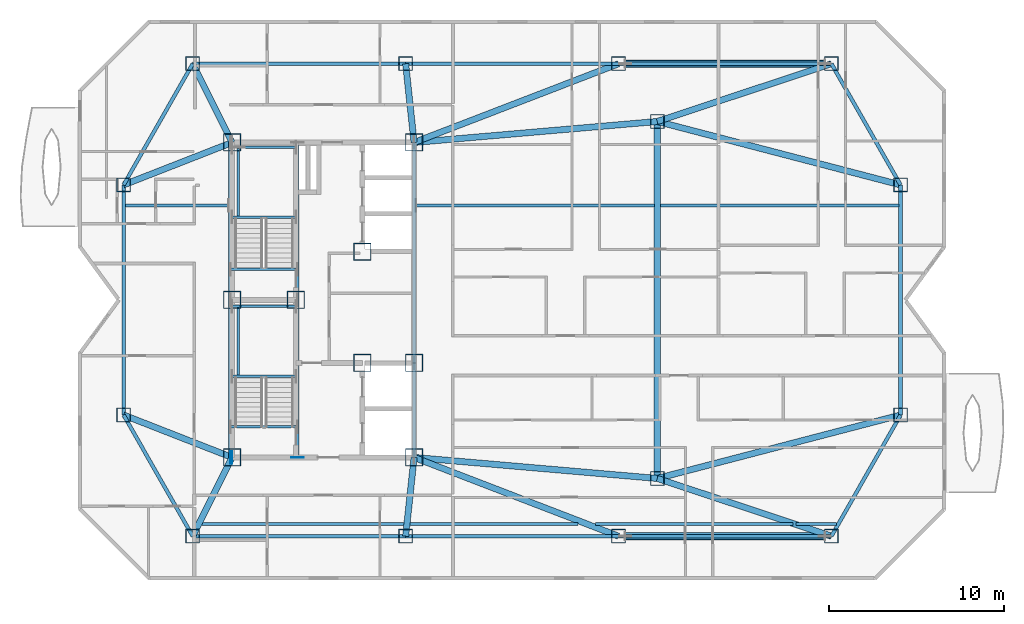
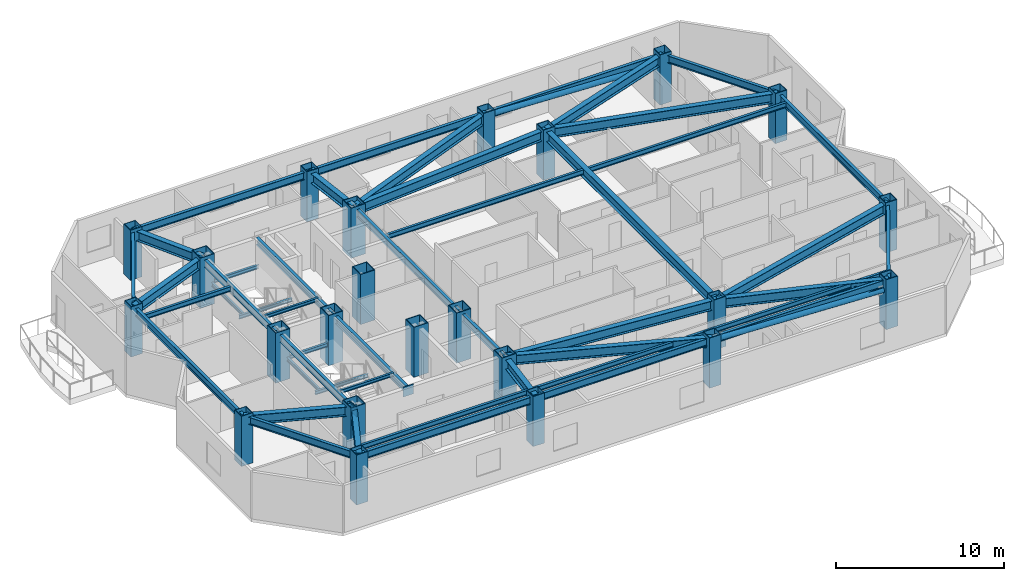
# One storey, part 1 of 11: 48 beams, 23 columns, 3 plates, 2 members.
"""IFC4 building model written with IfcOpenShell, lengths in metres."""

from ifc_helpers import new_model, si_unit, direction, frame, origin, origin_2d, place, context, subcontext, project, spatial, rectangle, hollow_rectangle, hollow_circle, i_section, extrude, material, layer, layer_set, material_profile, profile_set, type_object, element, save


model = new_model("IFC4")

# Units and contexts
model_context = context("Model", 3, precision=1e-05, world=origin(), true_north=direction((0.0, 1.0)))
body_context = subcontext(model_context, "Body", "Model", "MODEL_VIEW")
ifc_project = project(units=[si_unit("LENGTHUNIT", "METRE"), si_unit("AREAUNIT", "SQUARE_METRE"), si_unit("VOLUMEUNIT", "CUBIC_METRE"), si_unit("PLANEANGLEUNIT", "RADIAN"), si_unit("MASSUNIT", "GRAM", prefix="KILO")], contexts=[model_context])

# Site, building, storey
site_placement = place(None, origin())
site = spatial("IfcSite", under=ifc_project, at=site_placement, CompositionType="ELEMENT")
building_placement = place(site_placement, origin())
building = spatial("IfcBuilding", under=site, at=building_placement, Name="Khamvora Tower", CompositionType="ELEMENT")
storey_placement = place(building_placement, frame((0.0, 0.0, 239.10009765625)))
storey = spatial("IfcBuildingStorey", under=building, at=storey_placement, Name="L61", CompositionType="ELEMENT", Elevation=239.10009765625)

# Columns
ifc_material_1 = material(Name="Steel S355", Category="steel")
ifc_material_profile_1 = material_profile(ifc_material_1, hollow_rectangle(XDim=0.800048828125, YDim=0.800048828125, WallThickness=0.0400390625, at=origin_2d()), Name="BOX800x800x40")
ifc_profile_set_1 = profile_set([ifc_material_profile_1], Name="Steel S355")
column_type_1 = type_object("IfcColumnType", Name="COL-BOX800", PredefinedType="COLUMN", material=ifc_profile_set_1)
for number, where, z_axis, x_axis, name in (
    (1, (26.75, 14.5, 0.0), (0.0, 0.0, 1.0), (1.0, 0.0, 0.0), "L61 structural frame column S1"),
    (2, (38.9169921875, 14.5, 0.0), (0.0, 0.0, 1.0), (1.0, 0.0, 0.0), "L61 structural frame column S2"),
    (3, (51.0830078125, 14.5, 0.0), (0.0, 0.0, 1.0), (1.0, 0.0, 0.0), "L61 structural frame column S3"),
    (4, (63.25, 14.5, 0.0), (0.0, 0.0, 1.0), (1.0, 0.0, 0.0), "L61 structural frame column S4"),
    (5, (26.75, 41.5, 0.0), (0.0, 0.0, 1.0), (1.0, 0.0, 0.0), "L61 structural frame column N1"),
    (6, (38.9169921875, 41.5, 0.0), (0.0, 0.0, 1.0), (1.0, 0.0, 0.0), "L61 structural frame column N2"),
    (7, (51.0830078125, 41.5, 0.0), (0.0, 0.0, 1.0), (1.0, 0.0, 0.0), "L61 structural frame column N3"),
    (8, (63.25, 41.5, 0.0), (0.0, 0.0, 1.0), (1.0, 0.0, 0.0), "L61 structural frame column N4"),
    (9, (22.800048828125, 21.425048828125, 0.0), (0.0, 0.0, 1.0), (1.0, 0.0, 0.0), "L61 structural frame column W1"),
    (10, (22.800048828125, 34.574951171875, 0.0), (0.0, 0.0, 1.0), (1.0, 0.0, 0.0), "L61 structural frame column W2"),
    (11, (67.199951171875, 21.425048828125, 0.0), (0.0, 0.0, 1.0), (1.0, 0.0, 0.0), "L61 structural frame column E1"),
    (12, (67.199951171875, 34.574951171875, 0.0), (0.0, 0.0, 1.0), (1.0, 0.0, 0.0), "L61 structural frame column E2"),
    (13, (53.300048828125, 17.800048828125, 0.0), (0.0, 0.0, 1.0), (1.0, 0.0, 0.0), "L61 structural frame column M1"),
    (14, (53.300048828125, 38.199951171875, 0.0), (0.0, 0.0, 1.0), (1.0, 0.0, 0.0), "L61 structural frame column M2"),
):
    element("IfcColumn", number, at=place(storey_placement, frame(where, z_axis=z_axis, x_axis=x_axis)), inside=storey, type_object=column_type_1, Name=name, PredefinedType="COLUMN", context=body_context, shape_type="SweptSolid", body=[
        extrude(hollow_rectangle(XDim=0.800048828125, YDim=0.800048828125, WallThickness=0.0400390625, at=origin_2d()), origin(), (0.0, 0.0, 1.0), 3.64990234375),
    ])
ifc_material_2 = material(Name="Structural Steel S460ML", Category="steel")
ifc_material_profile_2 = material_profile(ifc_material_2, hollow_rectangle(XDim=1.0, YDim=1.0, WallThickness=0.050048828125, at=origin_2d()), Name="BOX1000x1000x50")
ifc_profile_set_2 = profile_set([ifc_material_profile_2], Name="Structural Steel S460ML")
column_type_2 = type_object("IfcColumnType", Name="COL-SC-BOX1000", PredefinedType="COLUMN", material=ifc_profile_set_2)
for number, where, z_axis, x_axis, name in (
    (15, (29.0, 19.0, 0.0), (0.0, 0.0, 1.0), (1.0, 0.0, 0.0), "L61 plumb core spine column SC1"),
    (16, (32.64990234375, 28.0, 0.0), (0.0, 0.0, 1.0), (1.0, 0.0, 0.0), "L61 plumb core spine column SC2"),
    (17, (39.39990234375, 19.0, 0.0), (0.0, 0.0, 1.0), (1.0, 0.0, 0.0), "L61 plumb core spine column SC3"),
    (18, (29.0, 28.0, 0.0), (0.0, 0.0, 1.0), (1.0, 0.0, 0.0), "L61 plumb core spine column SC4"),
    (19, (36.449951171875, 24.39990234375, 0.0), (0.0, 0.0, 1.0), (1.0, 0.0, 0.0), "L61 plumb core spine column SC5"),
    (20, (39.39990234375, 24.39990234375, 0.0), (0.0, 0.0, 1.0), (1.0, 0.0, 0.0), "L61 plumb core spine column SC6"),
    (21, (29.0, 37.0, 0.0), (0.0, 0.0, 1.0), (1.0, 0.0, 0.0), "L61 plumb core spine column SC7"),
    (22, (36.449951171875, 30.75, 0.0), (0.0, 0.0, 1.0), (1.0, 0.0, 0.0), "L61 plumb core spine column SC8"),
    (23, (39.39990234375, 37.0, 0.0), (0.0, 0.0, 1.0), (1.0, 0.0, 0.0), "L61 plumb core spine column SC9"),
):
    element("IfcColumn", number, at=place(storey_placement, frame(where, z_axis=z_axis, x_axis=x_axis)), inside=storey, type_object=column_type_2, Name=name, PredefinedType="COLUMN", context=body_context, shape_type="SweptSolid", body=[
        extrude(hollow_rectangle(XDim=1.0, YDim=1.0, WallThickness=0.050048828125, at=origin_2d()), origin(), (0.0, 0.0, 1.0), 3.64990234375),
    ])

# Beams
ifc_material_profile_3 = material_profile(ifc_material_1, i_section(OverallWidth=0.1708984375, OverallDepth=0.35498046875, WebThickness=0.007080078125, FlangeThickness=0.011962890625, FilletRadius=0.010009765625, at=origin_2d()), Name="W360x51")
ifc_profile_set_3 = profile_set([ifc_material_profile_3], Name="Steel S355")
beam_type_1 = type_object("IfcBeamType", Name="BM-JS-W360x51", PredefinedType="JOIST", material=ifc_profile_set_3)
beam_1_placement = place(storey_placement, frame((27.29296875, 15.199951171875, 3.251953125), z_axis=(1.0, 0.0, 0.0), x_axis=(0.0, 1.0, 0.0)))
element("IfcBeam", 24, at=beam_1_placement, inside=storey, type_object=beam_type_1, Name="L61 secondary floor joist 01", PredefinedType="JOIST", context=body_context, shape_type="SweptSolid", body=[
    extrude(i_section(OverallWidth=0.1708984375, OverallDepth=0.35498046875, WebThickness=0.007080078125, FlangeThickness=0.011962890625, FilletRadius=0.010009765625, at=origin_2d()), origin(), (0.0, 0.0, 1.0), 11.526123046875),
])
beam_2_placement = place(storey_placement, frame((39.166015625, 15.199951171875, 3.251953125), z_axis=(1.0, 0.0, 0.0), x_axis=(0.0, 1.0, 0.0)))
element("IfcBeam", 25, at=beam_2_placement, inside=storey, type_object=beam_type_1, Name="L61 secondary floor joist 02", PredefinedType="JOIST", context=body_context, shape_type="SweptSolid", body=[
    extrude(i_section(OverallWidth=0.1708984375, OverallDepth=0.35498046875, WebThickness=0.007080078125, FlangeThickness=0.011962890625, FilletRadius=0.010009765625, at=origin_2d()), origin(), (0.0, 0.0, 1.0), 9.611083984375),
])
beam_3_placement = place(storey_placement, frame((49.75390625, 15.199951171875, 3.251953125), z_axis=(1.0, 0.0, 0.0), x_axis=(0.0, 1.0, 0.0)))
element("IfcBeam", 26, at=beam_3_placement, inside=storey, type_object=beam_type_1, Name="L61 secondary floor joist 03", PredefinedType="JOIST", context=body_context, shape_type="SweptSolid", body=[
    extrude(i_section(OverallWidth=0.1708984375, OverallDepth=0.35498046875, WebThickness=0.007080078125, FlangeThickness=0.011962890625, FilletRadius=0.010009765625, at=origin_2d()), origin(), (0.0, 0.0, 1.0), 11.2900390625),
])
beam_4_placement = place(storey_placement, frame((61.23388671875, 15.199951171875, 3.251953125), z_axis=(1.0, 0.0, 0.0), x_axis=(0.0, 1.0, 0.0)))
element("IfcBeam", 27, at=beam_4_placement, inside=storey, type_object=beam_type_1, Name="L61 secondary floor joist 04", PredefinedType="JOIST", context=body_context, shape_type="SweptSolid", body=[
    extrude(i_section(OverallWidth=0.1708984375, OverallDepth=0.35498046875, WebThickness=0.007080078125, FlangeThickness=0.011962890625, FilletRadius=0.010009765625, at=origin_2d()), origin(), (0.0, 0.0, 1.0), 2.300048828125),
])
beam_5_placement = place(storey_placement, frame((22.89892578125, 33.39990234375, 3.251953125), z_axis=(1.0, 0.0, 0.0), x_axis=(0.0, 1.0, 0.0)))
element("IfcBeam", 28, at=beam_5_placement, inside=storey, type_object=beam_type_1, Name="L61 secondary floor joist 05", PredefinedType="JOIST", context=body_context, shape_type="SweptSolid", body=[
    extrude(i_section(OverallWidth=0.1708984375, OverallDepth=0.35498046875, WebThickness=0.007080078125, FlangeThickness=0.011962890625, FilletRadius=0.010009765625, at=origin_2d()), origin(), (0.0, 0.0, 1.0), 5.901123046875),
])
beam_6_placement = place(storey_placement, frame((39.4990234375, 33.39990234375, 3.251953125), z_axis=(1.0, 0.0, 0.0), x_axis=(0.0, 1.0, 0.0)))
element("IfcBeam", 29, at=beam_6_placement, inside=storey, type_object=beam_type_1, Name="L61 secondary floor joist 06", PredefinedType="JOIST", context=body_context, shape_type="SweptSolid", body=[
    extrude(i_section(OverallWidth=0.1708984375, OverallDepth=0.35498046875, WebThickness=0.007080078125, FlangeThickness=0.011962890625, FilletRadius=0.010009765625, at=origin_2d()), origin(), (0.0, 0.0, 1.0), 13.6279296875),
])
beam_7_placement = place(storey_placement, frame((53.471923828125, 33.39990234375, 3.251953125), z_axis=(1.0, 0.0, 0.0), x_axis=(0.0, 1.0, 0.0)))
element("IfcBeam", 30, at=beam_7_placement, inside=storey, type_object=beam_type_1, Name="L61 secondary floor joist 07", PredefinedType="JOIST", context=body_context, shape_type="SweptSolid", body=[
    extrude(i_section(OverallWidth=0.1708984375, OverallDepth=0.35498046875, WebThickness=0.007080078125, FlangeThickness=0.011962890625, FilletRadius=0.010009765625, at=origin_2d()), origin(), (0.0, 0.0, 1.0), 13.628173828125),
])
ifc_material_profile_4 = material_profile(ifc_material_1, i_section(OverallWidth=0.14697265625, OverallDepth=0.261962890625, WebThickness=0.007080078125, FlangeThickness=0.010986328125, FilletRadius=0.008056640625, at=origin_2d()), Name="W250x39")
ifc_profile_set_4 = profile_set([ifc_material_profile_4], Name="Steel S355")
beam_type_2 = type_object("IfcBeamType", Name="BM-LN-W250x39", PredefinedType="LINTEL", material=ifc_profile_set_4)
for number, where, z_axis, x_axis, name in (
    (31, (29.0, 23.635009765625, 1.493896484375), (1.0, 0.0, 0.0), (0.0, 1.0, 0.0), "L61 ST-01 half-landing support beam 1.1"),
    (32, (29.0, 27.6298828125, 1.493896484375), (1.0, 0.0, 0.0), (0.0, 1.0, 0.0), "L61 ST-01 half-landing support beam 1.2"),
):
    element("IfcBeam", number, at=place(storey_placement, frame(where, z_axis=z_axis, x_axis=x_axis)), inside=storey, type_object=beam_type_2, Name=name, PredefinedType="LINTEL", context=body_context, shape_type="SweptSolid", body=[
        extrude(i_section(OverallWidth=0.14697265625, OverallDepth=0.261962890625, WebThickness=0.007080078125, FlangeThickness=0.010986328125, FilletRadius=0.008056640625, at=origin_2d()), origin(), (0.0, 0.0, 1.0), 3.64990234375),
    ])
beam_8_placement = place(storey_placement, frame((29.35009765625, 23.635009765625, 1.493896484375), z_axis=(0.0, 1.0, 0.0), x_axis=(-1.0, 0.0, 0.0)))
element("IfcBeam", 33, at=beam_8_placement, inside=storey, type_object=beam_type_2, Name="L61 ST-01 half-landing edge stringer 1", PredefinedType="LINTEL", context=body_context, shape_type="SweptSolid", body=[
    extrude(i_section(OverallWidth=0.14697265625, OverallDepth=0.261962890625, WebThickness=0.007080078125, FlangeThickness=0.010986328125, FilletRadius=0.008056640625, at=origin_2d()), origin(), (0.0, 0.0, 1.0), 3.994873046875),
])
for number, where, z_axis, x_axis, name in (
    (34, (29.0, 32.735107421875, 1.493896484375), (1.0, 0.0, 0.0), (0.0, 1.0, 0.0), "L61 ST-02 half-landing support beam 1.1"),
    (35, (29.0, 36.72998046875, 1.493896484375), (1.0, 0.0, 0.0), (0.0, 1.0, 0.0), "L61 ST-02 half-landing support beam 1.2"),
):
    element("IfcBeam", number, at=place(storey_placement, frame(where, z_axis=z_axis, x_axis=x_axis)), inside=storey, type_object=beam_type_2, Name=name, PredefinedType="LINTEL", context=body_context, shape_type="SweptSolid", body=[
        extrude(i_section(OverallWidth=0.14697265625, OverallDepth=0.261962890625, WebThickness=0.007080078125, FlangeThickness=0.010986328125, FilletRadius=0.008056640625, at=origin_2d()), origin(), (0.0, 0.0, 1.0), 3.64990234375),
    ])
beam_9_placement = place(storey_placement, frame((29.35009765625, 32.735107421875, 1.493896484375), z_axis=(0.0, 1.0, 0.0), x_axis=(-1.0, 0.0, 0.0)))
element("IfcBeam", 36, at=beam_9_placement, inside=storey, type_object=beam_type_2, Name="L61 ST-02 half-landing edge stringer 1", PredefinedType="LINTEL", context=body_context, shape_type="SweptSolid", body=[
    extrude(i_section(OverallWidth=0.14697265625, OverallDepth=0.261962890625, WebThickness=0.007080078125, FlangeThickness=0.010986328125, FilletRadius=0.008056640625, at=origin_2d()), origin(), (0.0, 0.0, 1.0), 3.994873046875),
])
for number, where, z_axis, x_axis, name in (
    (37, (28.89990234375, 20.75, 3.303955078125), (1.0, 0.0, 0.0), (0.0, 1.0, 0.0), "L61 exit stair ST-01 landing trimmer beam"),
    (38, (28.89990234375, 29.75, 3.303955078125), (1.0, 0.0, 0.0), (0.0, 1.0, 0.0), "L61 exit stair ST-02 landing trimmer beam"),
):
    element("IfcBeam", number, at=place(storey_placement, frame(where, z_axis=z_axis, x_axis=x_axis)), inside=storey, type_object=beam_type_2, Name=name, PredefinedType="LINTEL", context=body_context, shape_type="SweptSolid", body=[
        extrude(i_section(OverallWidth=0.14697265625, OverallDepth=0.261962890625, WebThickness=0.007080078125, FlangeThickness=0.010986328125, FilletRadius=0.008056640625, at=origin_2d()), origin(), (0.0, 0.0, 1.0), 3.830078125),
    ])
ifc_material_profile_5 = material_profile(ifc_material_1, i_section(OverallWidth=0.35498046875, OverallDepth=0.695068359375, WebThickness=0.014892578125, FlangeThickness=0.02490234375, FilletRadius=0.01611328125, at=origin_2d()), Name="W690x217")
ifc_profile_set_5 = profile_set([ifc_material_profile_5], Name="Steel S355")
beam_type_3 = type_object("IfcBeamType", Name="BM-PG-W690x217", PredefinedType="BEAM", material=ifc_profile_set_5)
beam_10_placement = place(storey_placement, frame((53.300048828125, 17.800048828125, 3.0830078125), z_axis=(0.0, 1.0, 0.0), x_axis=(-1.0, 0.0, 0.0)))
element("IfcBeam", 39, at=beam_10_placement, inside=storey, type_object=beam_type_3, Name="L61 longitudinal frame girder M1-M2", PredefinedType="BEAM", context=body_context, shape_type="SweptSolid", body=[
    extrude(i_section(OverallWidth=0.35498046875, OverallDepth=0.695068359375, WebThickness=0.014892578125, FlangeThickness=0.02490234375, FilletRadius=0.01611328125, at=origin_2d()), origin(), (0.0, 0.0, 1.0), 20.39990234375),
])
beam_11_placement = place(storey_placement, frame((29.0, 19.0, 3.0830078125), z_axis=(-0.4472135955, -0.894427191, 0.0), x_axis=(0.894427191, -0.4472135955, 0.0)))
element("IfcBeam", 40, at=beam_11_placement, inside=storey, type_object=beam_type_3, Name="L61 primary floor girder S1", PredefinedType="BEAM", context=body_context, shape_type="SweptSolid", body=[
    extrude(i_section(OverallWidth=0.35498046875, OverallDepth=0.695068359375, WebThickness=0.014892578125, FlangeThickness=0.02490234375, FilletRadius=0.01611328125, at=origin_2d()), origin(), (0.0, 0.0, 1.0), 5.03125),
])
beam_12_placement = place(storey_placement, frame((39.39990234375, 19.0, 3.0830078125), z_axis=(-0.106700735484, -0.994291181218, 0.0), x_axis=(0.994291181218, -0.106700735484, 0.0)))
element("IfcBeam", 41, at=beam_12_placement, inside=storey, type_object=beam_type_3, Name="L61 primary floor girder S2", PredefinedType="BEAM", context=body_context, shape_type="SweptSolid", body=[
    extrude(i_section(OverallWidth=0.35498046875, OverallDepth=0.695068359375, WebThickness=0.014892578125, FlangeThickness=0.02490234375, FilletRadius=0.01611328125, at=origin_2d()), origin(), (0.0, 0.0, 1.0), 4.52587890625),
])
beam_13_placement = place(storey_placement, frame((39.39990234375, 19.0, 3.0830078125), z_axis=(0.933171601475, -0.359431164759, 0.0), x_axis=(0.359431164759, 0.933171601475, 0.0)))
element("IfcBeam", 42, at=beam_13_placement, inside=storey, type_object=beam_type_3, Name="L61 primary floor girder S3", PredefinedType="BEAM", context=body_context, shape_type="SweptSolid", body=[
    extrude(i_section(OverallWidth=0.35498046875, OverallDepth=0.695068359375, WebThickness=0.014892578125, FlangeThickness=0.02490234375, FilletRadius=0.01611328125, at=origin_2d()), origin(), (0.0, 0.0, 1.0), 12.519775390625),
])
beam_14_placement = place(storey_placement, frame((53.300048828125, 17.800048828125, 3.0830078125), z_axis=(0.949157330029, -0.314802101092, 0.0), x_axis=(0.314802101092, 0.949157330029, 0.0)))
element("IfcBeam", 43, at=beam_14_placement, inside=storey, type_object=beam_type_3, Name="L61 primary floor girder S4", PredefinedType="BEAM", context=body_context, shape_type="SweptSolid", body=[
    extrude(i_section(OverallWidth=0.35498046875, OverallDepth=0.695068359375, WebThickness=0.014892578125, FlangeThickness=0.02490234375, FilletRadius=0.01611328125, at=origin_2d()), origin(), (0.0, 0.0, 1.0), 10.48291015625),
])
beam_15_placement = place(storey_placement, frame((29.0, 37.0, 3.0830078125), z_axis=(-0.4472135955, 0.894427191, 0.0), x_axis=(-0.894427191, -0.4472135955, 0.0)))
element("IfcBeam", 44, at=beam_15_placement, inside=storey, type_object=beam_type_3, Name="L61 primary floor girder N1", PredefinedType="BEAM", context=body_context, shape_type="SweptSolid", body=[
    extrude(i_section(OverallWidth=0.35498046875, OverallDepth=0.695068359375, WebThickness=0.014892578125, FlangeThickness=0.02490234375, FilletRadius=0.01611328125, at=origin_2d()), origin(), (0.0, 0.0, 1.0), 5.03125),
])
beam_16_placement = place(storey_placement, frame((39.39990234375, 37.0, 3.0830078125), z_axis=(-0.106700735484, 0.994291181218, 0.0), x_axis=(-0.994291181218, -0.106700735484, 0.0)))
element("IfcBeam", 45, at=beam_16_placement, inside=storey, type_object=beam_type_3, Name="L61 primary floor girder N2", PredefinedType="BEAM", context=body_context, shape_type="SweptSolid", body=[
    extrude(i_section(OverallWidth=0.35498046875, OverallDepth=0.695068359375, WebThickness=0.014892578125, FlangeThickness=0.02490234375, FilletRadius=0.01611328125, at=origin_2d()), origin(), (0.0, 0.0, 1.0), 4.52587890625),
])
beam_17_placement = place(storey_placement, frame((39.39990234375, 37.0, 3.0830078125), z_axis=(0.933171601475, 0.359431164759, 0.0), x_axis=(-0.359431164759, 0.933171601475, 0.0)))
element("IfcBeam", 46, at=beam_17_placement, inside=storey, type_object=beam_type_3, Name="L61 primary floor girder N3", PredefinedType="BEAM", context=body_context, shape_type="SweptSolid", body=[
    extrude(i_section(OverallWidth=0.35498046875, OverallDepth=0.695068359375, WebThickness=0.014892578125, FlangeThickness=0.02490234375, FilletRadius=0.01611328125, at=origin_2d()), origin(), (0.0, 0.0, 1.0), 12.519775390625),
])
beam_18_placement = place(storey_placement, frame((53.300048828125, 38.199951171875, 3.0830078125), z_axis=(0.949157330029, 0.314802101092, 0.0), x_axis=(-0.314802101092, 0.949157330029, 0.0)))
element("IfcBeam", 47, at=beam_18_placement, inside=storey, type_object=beam_type_3, Name="L61 primary floor girder N4", PredefinedType="BEAM", context=body_context, shape_type="SweptSolid", body=[
    extrude(i_section(OverallWidth=0.35498046875, OverallDepth=0.695068359375, WebThickness=0.014892578125, FlangeThickness=0.02490234375, FilletRadius=0.01611328125, at=origin_2d()), origin(), (0.0, 0.0, 1.0), 10.48291015625),
])
for number, where, z_axis, x_axis, name in (
    (48, (29.0, 19.0, 3.0830078125), (-0.931294712743, 0.36426660294, 0.0), (-0.36426660294, -0.931294712743, 0.0), "L61 primary floor girder W1"),
    (49, (29.0, 37.0, 3.0830078125), (-0.931294712743, -0.36426660294, 0.0), (0.36426660294, -0.931294712743, 0.0), "L61 primary floor girder W2"),
):
    element("IfcBeam", number, at=place(storey_placement, frame(where, z_axis=z_axis, x_axis=x_axis)), inside=storey, type_object=beam_type_3, Name=name, PredefinedType="BEAM", context=body_context, shape_type="SweptSolid", body=[
        extrude(i_section(OverallWidth=0.35498046875, OverallDepth=0.695068359375, WebThickness=0.014892578125, FlangeThickness=0.02490234375, FilletRadius=0.01611328125, at=origin_2d()), origin(), (0.0, 0.0, 1.0), 6.6572265625),
    ])
for number, where, z_axis, x_axis, name in (
    (50, (53.300048828125, 17.800048828125, 3.0830078125), (0.967635318494, 0.252352710314, 0.0), (-0.252352710314, 0.967635318494, 0.0), "L61 primary floor girder E1"),
    (51, (53.300048828125, 38.199951171875, 3.0830078125), (0.967635318494, -0.252352710314, 0.0), (0.252352710314, 0.967635318494, 0.0), "L61 primary floor girder E2"),
):
    element("IfcBeam", number, at=place(storey_placement, frame(where, z_axis=z_axis, x_axis=x_axis)), inside=storey, type_object=beam_type_3, Name=name, PredefinedType="BEAM", context=body_context, shape_type="SweptSolid", body=[
        extrude(i_section(OverallWidth=0.35498046875, OverallDepth=0.695068359375, WebThickness=0.014892578125, FlangeThickness=0.02490234375, FilletRadius=0.01611328125, at=origin_2d()), origin(), (0.0, 0.0, 1.0), 14.36474609375),
    ])
for number, where, z_axis, x_axis, name in (
    (52, (39.39990234375, 19.0, 3.0830078125), (0.996294564212, -0.08600663534, 0.0), (0.08600663534, 0.996294564212, 0.0), "L61 primary floor girder M1"),
    (53, (39.39990234375, 37.0, 3.0830078125), (0.996294564212, 0.08600663534, 0.0), (-0.08600663534, 0.996294564212, 0.0), "L61 primary floor girder M2"),
):
    element("IfcBeam", number, at=place(storey_placement, frame(where, z_axis=z_axis, x_axis=x_axis)), inside=storey, type_object=beam_type_3, Name=name, PredefinedType="BEAM", context=body_context, shape_type="SweptSolid", body=[
        extrude(i_section(OverallWidth=0.35498046875, OverallDepth=0.695068359375, WebThickness=0.014892578125, FlangeThickness=0.02490234375, FilletRadius=0.01611328125, at=origin_2d()), origin(), (0.0, 0.0, 1.0), 13.951904296875),
    ])
ifc_material_profile_6 = material_profile(ifc_material_1, i_section(OverallWidth=0.208984375, OverallDepth=0.532958984375, WebThickness=0.010009765625, FlangeThickness=0.01611328125, FilletRadius=0.013916015625, at=origin_2d()), Name="W530x92")
ifc_profile_set_6 = profile_set([ifc_material_profile_6], Name="Steel S355")
beam_type_4 = type_object("IfcBeamType", Name="BM-SP-W530x92", PredefinedType="SPANDREL", material=ifc_profile_set_6)
beam_19_placement = place(storey_placement, frame((22.800048828125, 21.425048828125, 3.162841796875), z_axis=(0.495456118564, -0.868632968853, 0.0), x_axis=(0.868632968853, 0.495456118564, 0.0)))
element("IfcBeam", 54, at=beam_19_placement, inside=storey, type_object=beam_type_4, Name="L61 perimeter spandrel beam W1-S1", PredefinedType="SPANDREL", context=body_context, shape_type="SweptSolid", body=[
    extrude(i_section(OverallWidth=0.208984375, OverallDepth=0.532958984375, WebThickness=0.010009765625, FlangeThickness=0.01611328125, FilletRadius=0.013916015625, at=origin_2d()), origin(), (0.0, 0.0, 1.0), 7.972412109375),
])
beam_20_placement = place(storey_placement, frame((26.75, 14.5, 3.162841796875), z_axis=(1.0, 0.0, 0.0), x_axis=(0.0, 1.0, 0.0)))
element("IfcBeam", 55, at=beam_20_placement, inside=storey, type_object=beam_type_4, Name="L61 perimeter spandrel beam S1-S2", PredefinedType="SPANDREL", context=body_context, shape_type="SweptSolid", body=[
    extrude(i_section(OverallWidth=0.208984375, OverallDepth=0.532958984375, WebThickness=0.010009765625, FlangeThickness=0.01611328125, FilletRadius=0.013916015625, at=origin_2d()), origin(), (0.0, 0.0, 1.0), 12.1669921875),
])
beam_21_placement = place(storey_placement, frame((38.9169921875, 14.5, 3.162841796875), z_axis=(1.0, 0.0, 0.0), x_axis=(0.0, 1.0, 0.0)))
element("IfcBeam", 56, at=beam_21_placement, inside=storey, type_object=beam_type_4, Name="L61 perimeter spandrel beam S2-S3", PredefinedType="SPANDREL", context=body_context, shape_type="SweptSolid", body=[
    extrude(i_section(OverallWidth=0.208984375, OverallDepth=0.532958984375, WebThickness=0.010009765625, FlangeThickness=0.01611328125, FilletRadius=0.013916015625, at=origin_2d()), origin(), (0.0, 0.0, 1.0), 12.166015625),
])
beam_22_placement = place(storey_placement, frame((51.0830078125, 14.5, 3.162841796875), z_axis=(1.0, 0.0, 0.0), x_axis=(0.0, 1.0, 0.0)))
element("IfcBeam", 57, at=beam_22_placement, inside=storey, type_object=beam_type_4, Name="L61 perimeter spandrel beam S3-S4", PredefinedType="SPANDREL", context=body_context, shape_type="SweptSolid", body=[
    extrude(i_section(OverallWidth=0.208984375, OverallDepth=0.532958984375, WebThickness=0.010009765625, FlangeThickness=0.01611328125, FilletRadius=0.013916015625, at=origin_2d()), origin(), (0.0, 0.0, 1.0), 12.1669921875),
])
beam_23_placement = place(storey_placement, frame((63.25, 14.5, 3.162841796875), z_axis=(0.495456118564, 0.868632968853, 0.0), x_axis=(-0.868632968853, 0.495456118564, 0.0)))
element("IfcBeam", 58, at=beam_23_placement, inside=storey, type_object=beam_type_4, Name="L61 perimeter spandrel beam S4-E1", PredefinedType="SPANDREL", context=body_context, shape_type="SweptSolid", body=[
    extrude(i_section(OverallWidth=0.208984375, OverallDepth=0.532958984375, WebThickness=0.010009765625, FlangeThickness=0.01611328125, FilletRadius=0.013916015625, at=origin_2d()), origin(), (0.0, 0.0, 1.0), 7.972412109375),
])
beam_24_placement = place(storey_placement, frame((67.199951171875, 21.425048828125, 3.162841796875), z_axis=(0.0, 1.0, 0.0), x_axis=(-1.0, 0.0, 0.0)))
element("IfcBeam", 59, at=beam_24_placement, inside=storey, type_object=beam_type_4, Name="L61 perimeter spandrel beam E1-E2", PredefinedType="SPANDREL", context=body_context, shape_type="SweptSolid", body=[
    extrude(i_section(OverallWidth=0.208984375, OverallDepth=0.532958984375, WebThickness=0.010009765625, FlangeThickness=0.01611328125, FilletRadius=0.013916015625, at=origin_2d()), origin(), (0.0, 0.0, 1.0), 13.14990234375),
])
beam_25_placement = place(storey_placement, frame((67.199951171875, 34.574951171875, 3.162841796875), z_axis=(-0.495456118564, 0.868632968853, 0.0), x_axis=(-0.868632968853, -0.495456118564, 0.0)))
element("IfcBeam", 60, at=beam_25_placement, inside=storey, type_object=beam_type_4, Name="L61 perimeter spandrel beam E2-N4", PredefinedType="SPANDREL", context=body_context, shape_type="SweptSolid", body=[
    extrude(i_section(OverallWidth=0.208984375, OverallDepth=0.532958984375, WebThickness=0.010009765625, FlangeThickness=0.01611328125, FilletRadius=0.013916015625, at=origin_2d()), origin(), (0.0, 0.0, 1.0), 7.972412109375),
])
beam_26_placement = place(storey_placement, frame((63.25, 41.5, 3.162841796875), z_axis=(-1.0, 0.0, 0.0), x_axis=(0.0, -1.0, 0.0)))
element("IfcBeam", 61, at=beam_26_placement, inside=storey, type_object=beam_type_4, Name="L61 perimeter spandrel beam N4-N3", PredefinedType="SPANDREL", context=body_context, shape_type="SweptSolid", body=[
    extrude(i_section(OverallWidth=0.208984375, OverallDepth=0.532958984375, WebThickness=0.010009765625, FlangeThickness=0.01611328125, FilletRadius=0.013916015625, at=origin_2d()), origin(), (0.0, 0.0, 1.0), 12.1669921875),
])
beam_27_placement = place(storey_placement, frame((51.0830078125, 41.5, 3.162841796875), z_axis=(-1.0, 0.0, 0.0), x_axis=(0.0, -1.0, 0.0)))
element("IfcBeam", 62, at=beam_27_placement, inside=storey, type_object=beam_type_4, Name="L61 perimeter spandrel beam N3-N2", PredefinedType="SPANDREL", context=body_context, shape_type="SweptSolid", body=[
    extrude(i_section(OverallWidth=0.208984375, OverallDepth=0.532958984375, WebThickness=0.010009765625, FlangeThickness=0.01611328125, FilletRadius=0.013916015625, at=origin_2d()), origin(), (0.0, 0.0, 1.0), 12.166015625),
])
beam_28_placement = place(storey_placement, frame((38.9169921875, 41.5, 3.162841796875), z_axis=(-1.0, 0.0, 0.0), x_axis=(0.0, -1.0, 0.0)))
element("IfcBeam", 63, at=beam_28_placement, inside=storey, type_object=beam_type_4, Name="L61 perimeter spandrel beam N2-N1", PredefinedType="SPANDREL", context=body_context, shape_type="SweptSolid", body=[
    extrude(i_section(OverallWidth=0.208984375, OverallDepth=0.532958984375, WebThickness=0.010009765625, FlangeThickness=0.01611328125, FilletRadius=0.013916015625, at=origin_2d()), origin(), (0.0, 0.0, 1.0), 12.1669921875),
])
beam_29_placement = place(storey_placement, frame((26.75, 41.5, 3.162841796875), z_axis=(-0.495456118564, -0.868632968853, 0.0), x_axis=(0.868632968853, -0.495456118564, 0.0)))
element("IfcBeam", 64, at=beam_29_placement, inside=storey, type_object=beam_type_4, Name="L61 perimeter spandrel beam N1-W2", PredefinedType="SPANDREL", context=body_context, shape_type="SweptSolid", body=[
    extrude(i_section(OverallWidth=0.208984375, OverallDepth=0.532958984375, WebThickness=0.010009765625, FlangeThickness=0.01611328125, FilletRadius=0.013916015625, at=origin_2d()), origin(), (0.0, 0.0, 1.0), 7.972412109375),
])
beam_30_placement = place(storey_placement, frame((22.800048828125, 34.574951171875, 3.162841796875), z_axis=(0.0, -1.0, 0.0), x_axis=(1.0, 0.0, 0.0)))
element("IfcBeam", 65, at=beam_30_placement, inside=storey, type_object=beam_type_4, Name="L61 perimeter spandrel beam W2-W1", PredefinedType="SPANDREL", context=body_context, shape_type="SweptSolid", body=[
    extrude(i_section(OverallWidth=0.208984375, OverallDepth=0.532958984375, WebThickness=0.010009765625, FlangeThickness=0.01611328125, FilletRadius=0.013916015625, at=origin_2d()), origin(), (0.0, 0.0, 1.0), 13.14990234375),
])
for number, where, z_axis, x_axis, name in (
    (66, (28.89990234375, 19.0, 3.162841796875), (0.0, 1.0, 0.0), (-1.0, 0.0, 0.0), "L61 core spine girder WS"),
    (67, (28.89990234375, 28.0, 3.162841796875), (0.0, 1.0, 0.0), (-1.0, 0.0, 0.0), "L61 core spine girder WN"),
    (68, (32.72998046875, 19.0, 3.162841796875), (0.0, 1.0, 0.0), (-1.0, 0.0, 0.0), "L61 core spine girder M1S"),
    (69, (32.72998046875, 28.0, 3.162841796875), (0.0, 1.0, 0.0), (-1.0, 0.0, 0.0), "L61 core spine girder M1N"),
):
    element("IfcBeam", number, at=place(storey_placement, frame(where, z_axis=z_axis, x_axis=x_axis)), inside=storey, type_object=beam_type_4, Name=name, PredefinedType="SPANDREL", context=body_context, shape_type="SweptSolid", body=[
        extrude(i_section(OverallWidth=0.208984375, OverallDepth=0.532958984375, WebThickness=0.010009765625, FlangeThickness=0.01611328125, FilletRadius=0.013916015625, at=origin_2d()), origin(), (0.0, 0.0, 1.0), 9.0),
    ])
beam_31_placement = place(storey_placement, frame((39.39990234375, 19.0, 3.162841796875), z_axis=(0.0, 1.0, 0.0), x_axis=(-1.0, 0.0, 0.0)))
element("IfcBeam", 70, at=beam_31_placement, inside=storey, type_object=beam_type_4, Name="L61 core spine girder ES", PredefinedType="SPANDREL", context=body_context, shape_type="SweptSolid", body=[
    extrude(i_section(OverallWidth=0.208984375, OverallDepth=0.532958984375, WebThickness=0.010009765625, FlangeThickness=0.01611328125, FilletRadius=0.013916015625, at=origin_2d()), origin(), (0.0, 0.0, 1.0), 5.39990234375),
])
beam_32_placement = place(storey_placement, frame((39.39990234375, 24.39990234375, 3.162841796875), z_axis=(0.0, 1.0, 0.0), x_axis=(-1.0, 0.0, 0.0)))
element("IfcBeam", 71, at=beam_32_placement, inside=storey, type_object=beam_type_4, Name="L61 core spine girder EN", PredefinedType="SPANDREL", context=body_context, shape_type="SweptSolid", body=[
    extrude(i_section(OverallWidth=0.208984375, OverallDepth=0.532958984375, WebThickness=0.010009765625, FlangeThickness=0.01611328125, FilletRadius=0.013916015625, at=origin_2d()), origin(), (0.0, 0.0, 1.0), 12.60009765625),
])

# Members
ifc_material_profile_7 = material_profile(ifc_material_1, hollow_circle(Radius=0.202880859375, WallThickness=0.01611328125, at=origin_2d()), Name="CHS406x16")
ifc_profile_set_7 = profile_set([ifc_material_profile_7], Name="Steel S355")
member_type = type_object("IfcMemberType", Name="MEM-BR-CHS406", PredefinedType="BRACE", material=ifc_profile_set_7)
for number, where, z_axis, x_axis, name in (
    (72, (62.8701171875, 14.5, 2.69482421875), (-0.999211988894, 0.0, 0.039691324617), (0.0, -1.0, 0.0), "L61 perimeter wind brace 1"),
    (73, (62.8701171875, 41.5, 2.69482421875), (-0.999211988894, 0.0, 0.039691324617), (0.0, -1.0, 0.0), "L61 perimeter wind brace 2"),
):
    element("IfcMember", number, at=place(storey_placement, frame(where, z_axis=z_axis, x_axis=x_axis)), inside=storey, type_object=member_type, Name=name, PredefinedType="BRACE", context=body_context, shape_type="SweptSolid", body=[
        extrude(hollow_circle(Radius=0.202880859375, WallThickness=0.01611328125, at=origin_2d()), origin(), (0.0, 0.0, 1.0), 11.416259765625),
    ])

# Plates
ifc_material_3 = material(Name="Steel S460", Category="steel")
ifc_layer = layer(ifc_material_3, 0.034912109375)
ifc_layer_set = layer_set([ifc_layer], Name="Steel S460")
plate_type = type_object("IfcPlateType", Name="PL-EMB-35", PredefinedType="SHEET", material=ifc_layer_set)
for number, where, z_axis, x_axis, name in (
    (74, (29.0, 19.0, 2.72314453125), (0.0, 0.0, 1.0), (1.0, 0.0, 0.0), "L61 core shear wall cast-in embed plate 1783"),
    (75, (28.89990234375, 19.0, 2.802734375), (0.0, 0.0, 1.0), (1.0, 0.0, 0.0), "L61 core shear wall cast-in embed plate 1787"),
):
    element("IfcPlate", number, at=place(storey_placement, frame(where, z_axis=z_axis, x_axis=x_axis)), inside=storey, type_object=plate_type, Name=name, PredefinedType="SHEET", context=body_context, shape_type="SweptSolid", body=[
        extrude(rectangle(XDim=0.034912109375, YDim=0.719970703125, at=origin_2d()), origin(), (0.0, 0.0, 1.0), 0.719970703125),
    ])
plate_placement = place(storey_placement, frame((32.72998046875, 19.0, 2.802734375), z_axis=(0.0, 0.0, 1.0), x_axis=(1.0, 0.0, 0.0)))
element("IfcPlate", 76, at=plate_placement, inside=storey, type_object=plate_type, Name="L61 core shear wall cast-in embed plate 1790", PredefinedType="SHEET", context=body_context, shape_type="SweptSolid", body=[
    extrude(rectangle(XDim=0.719970703125, YDim=0.034912109375, at=origin_2d()), origin(), (0.0, 0.0, 1.0), 0.719970703125),
])

save(model, "model.ifc")
